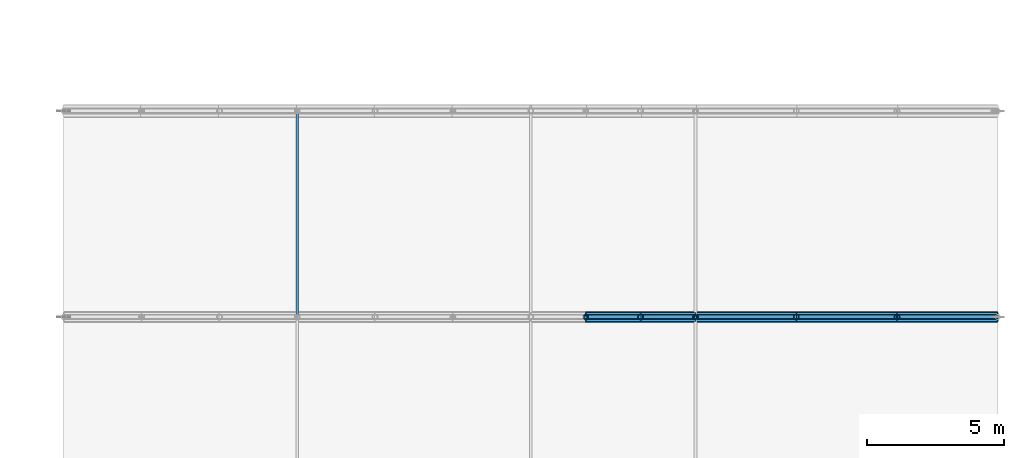
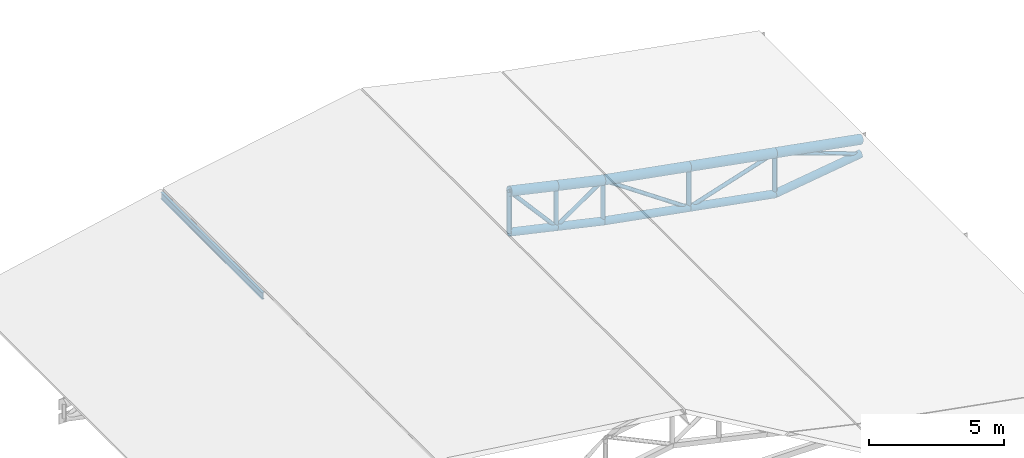
# One storey, part 18 of 28: 16 members, 5 beams.
"""IFC4 building model written with IfcOpenShell, lengths in metres."""

from ifc_helpers import new_model, si_unit, direction, frame, origin, origin_2d, place, context, subcontext, project, spatial, hollow_circle, i_section, extrude, material, material_profile, profile_set, type_object, element, save


model = new_model("IFC4")

# Units and contexts
model_context = context("Model", 3, precision=1e-05, world=origin(), true_north=direction((0.0, 1.0)))
body_context = subcontext(model_context, "Body", "Model", "MODEL_VIEW")
ifc_project = project(units=[si_unit("LENGTHUNIT", "METRE"), si_unit("AREAUNIT", "SQUARE_METRE"), si_unit("VOLUMEUNIT", "CUBIC_METRE"), si_unit("PLANEANGLEUNIT", "RADIAN"), si_unit("MASSUNIT", "GRAM", prefix="KILO"), si_unit("THERMODYNAMICTEMPERATUREUNIT", "KELVIN"), si_unit("POWERUNIT", "WATT")], contexts=[model_context])

# Site, building, storey
site_placement = place(None, origin())
site = spatial("IfcSite", under=ifc_project, at=site_placement, CompositionType="ELEMENT")
building_placement = place(site_placement, origin())
building = spatial("IfcBuilding", under=site, at=building_placement, Name="Tepalcoro Natatorium and Aquatics Centre", CompositionType="ELEMENT")
storey_placement = place(building_placement, frame((0.0, 0.0, 23.199951171875)))
storey = spatial("IfcBuildingStorey", under=building, at=storey_placement, Name="RF", CompositionType="ELEMENT", Elevation=23.199951171875)

# Beams
ifc_material_1 = material(Name="Terracotta Painted Hollow Steel ASTM A500 Grade C (Fy 345 MPa)", Category="masonry")
ifc_material_profile_1 = material_profile(ifc_material_1, hollow_circle(Radius=0.202880859375, WallThickness=0.01611328125, at=origin_2d()), Name="CHS406X16")
ifc_profile_set_1 = profile_set([ifc_material_profile_1], Name="Terracotta Painted Hollow Steel ASTM A500 Grade C (Fy 345 MPa)")
beam_type = type_object("IfcBeamType", Name="AC_CHS406x16", PredefinedType="USERDEFINED", material=ifc_profile_set_1)
for number, where, z_axis, x_axis, name in (
    (1, (161.0, 51.5, -0.755859375), (0.975589348514, 0.0, -0.219602875813), (0.0, 1.0, 0.0), "V2 Barrel-Arch Top Chord 7"),
    (2, (163.0, 51.5, -1.2060546875), (0.97561485681, 0.0, -0.21948952406), (0.0, 1.0, 0.0), "V2 Barrel-Arch Top Chord 7"),
):
    element("IfcBeam", number, at=place(storey_placement, frame(where, z_axis=z_axis, x_axis=x_axis)), inside=storey, type_object=beam_type, Name=name, ObjectType="ARCH CHORD", PredefinedType="USERDEFINED", context=body_context, shape_type="SweptSolid", body=[
        extrude(hollow_circle(Radius=0.202880859375, WallThickness=0.01611328125, at=origin_2d()), origin(), (0.0, 0.0, 1.0), 2.050048828125),
    ])
beam_1_placement = place(storey_placement, frame((165.0, 51.5, -1.656005859375), z_axis=(0.983716546565, 0.0, -0.179726892854), x_axis=(0.0, 1.0, 0.0)))
element("IfcBeam", 3, at=beam_1_placement, inside=storey, type_object=beam_type, Name="V2 Barrel-Arch Top Chord 7", ObjectType="ARCH CHORD", PredefinedType="USERDEFINED", context=body_context, shape_type="SweptSolid", body=[
    extrude(hollow_circle(Radius=0.202880859375, WallThickness=0.01611328125, at=origin_2d()), origin(), (0.0, 0.0, 1.0), 3.7275390625),
])
beam_2_placement = place(storey_placement, frame((168.666748046875, 51.5, -2.325927734375), z_axis=(0.983714430655, 0.0, -0.179738473679), x_axis=(0.0, 1.0, 0.0)))
element("IfcBeam", 4, at=beam_2_placement, inside=storey, type_object=beam_type, Name="V2 Barrel-Arch Top Chord 7", ObjectType="ARCH CHORD", PredefinedType="USERDEFINED", context=body_context, shape_type="SweptSolid", body=[
    extrude(hollow_circle(Radius=0.202880859375, WallThickness=0.01611328125, at=origin_2d()), origin(), (0.0, 0.0, 1.0), 3.727294921875),
])
beam_3_placement = place(storey_placement, frame((172.333251953125, 51.5, -2.995849609375), z_axis=(0.983704964567, 0.0, -0.179790274169), x_axis=(0.0, 1.0, 0.0)))
element("IfcBeam", 5, at=beam_3_placement, inside=storey, type_object=beam_type, Name="V2 Barrel-Arch Top Chord 7", ObjectType="ARCH CHORD", PredefinedType="USERDEFINED", context=body_context, shape_type="SweptSolid", body=[
    extrude(hollow_circle(Radius=0.202880859375, WallThickness=0.01611328125, at=origin_2d()), origin(), (0.0, 0.0, 1.0), 3.7275390625),
])

# Members
ifc_material_profile_2 = material_profile(ifc_material_1, hollow_circle(Radius=0.162109375, WallThickness=0.013916015625, at=origin_2d()), Name="CHS324X14")
ifc_profile_set_2 = profile_set([ifc_material_profile_2], Name="Terracotta Painted Hollow Steel ASTM A500 Grade C (Fy 345 MPa)")
member_type_1 = type_object("IfcMemberType", Name="MB_CH_CHS324x14", PredefinedType="CHORD", material=ifc_profile_set_2)
for number, where, z_axis, x_axis, name in (
    (6, (161.0, 51.5, -2.60595703125), (0.97561485681, 0.0, -0.21948952406), (0.0, 1.0, 0.0), "V2 Barrel-Arch Bottom Chord 7"),
    (7, (163.0, 51.5, -3.055908203125), (0.97561485681, 0.0, -0.21948952406), (0.0, 1.0, 0.0), "V2 Barrel-Arch Bottom Chord 7"),
):
    element("IfcMember", number, at=place(storey_placement, frame(where, z_axis=z_axis, x_axis=x_axis)), inside=storey, type_object=member_type_1, Name=name, PredefinedType="CHORD", context=body_context, shape_type="SweptSolid", body=[
        extrude(hollow_circle(Radius=0.162109375, WallThickness=0.013916015625, at=origin_2d()), origin(), (0.0, 0.0, 1.0), 2.050048828125),
    ])
member_1_placement = place(storey_placement, frame((165.0, 51.5, -3.505859375), z_axis=(0.983704964567, 0.0, -0.179790274169), x_axis=(0.0, 1.0, 0.0)))
element("IfcMember", 8, at=member_1_placement, inside=storey, type_object=member_type_1, Name="V2 Barrel-Arch Bottom Chord 7", PredefinedType="CHORD", context=body_context, shape_type="SweptSolid", body=[
    extrude(hollow_circle(Radius=0.162109375, WallThickness=0.013916015625, at=origin_2d()), origin(), (0.0, 0.0, 1.0), 3.7275390625),
])
member_2_placement = place(storey_placement, frame((168.666748046875, 51.5, -4.176025390625), z_axis=(0.983714430655, 0.0, -0.179738473679), x_axis=(0.0, 1.0, 0.0)))
element("IfcMember", 9, at=member_2_placement, inside=storey, type_object=member_type_1, Name="V2 Barrel-Arch Bottom Chord 7", PredefinedType="CHORD", context=body_context, shape_type="SweptSolid", body=[
    extrude(hollow_circle(Radius=0.162109375, WallThickness=0.013916015625, at=origin_2d()), origin(), (0.0, 0.0, 1.0), 3.727294921875),
])
member_3_placement = place(storey_placement, frame((172.333251953125, 51.5, -4.845947265625), z_axis=(0.98971353676, 0.0, 0.143063325675), x_axis=(0.0, 1.0, 0.0)))
element("IfcMember", 10, at=member_3_placement, inside=storey, type_object=member_type_1, Name="V2 Barrel-Arch Bottom Chord 7", PredefinedType="CHORD", context=body_context, shape_type="SweptSolid", body=[
    extrude(hollow_circle(Radius=0.162109375, WallThickness=0.013916015625, at=origin_2d()), origin(), (0.0, 0.0, 1.0), 3.704833984375),
])
ifc_material_2 = material(Name="Steel ASTM A992 Grade 50 (Fy 345 MPa)", Category="steel")
ifc_material_profile_3 = material_profile(ifc_material_2, i_section(OverallWidth=0.10205078125, OverallDepth=0.31201171875, WebThickness=0.007080078125, FlangeThickness=0.010986328125, FilletRadius=0.013916015625, at=origin_2d()), Name="W12X22")
ifc_profile_set_3 = profile_set([ifc_material_profile_3], Name="Steel ASTM A992 Grade 50 (Fy 345 MPa)")
member_type_2 = type_object("IfcMemberType", Name="MB_PR_W12x22", PredefinedType="PURLIN", material=ifc_profile_set_3)
member_4_placement = place(storey_placement, frame((150.5, 51.5, -1.808837890625), z_axis=(0.0, 1.0, 0.0), x_axis=(-1.0, 0.0, 0.0)))
element("IfcMember", 11, at=member_4_placement, inside=storey, type_object=member_type_2, Name="V2 Barrel-Arch Roof Purlin", PredefinedType="PURLIN", context=body_context, shape_type="SweptSolid", body=[
    extrude(i_section(OverallWidth=0.10205078125, OverallDepth=0.31201171875, WebThickness=0.007080078125, FlangeThickness=0.010986328125, FilletRadius=0.013916015625, at=origin_2d()), origin(), (0.0, 0.0, 1.0), 7.5),
])
ifc_material_profile_4 = material_profile(ifc_material_1, hollow_circle(Radius=0.096923828125, WallThickness=0.010009765625, at=origin_2d()), Name="CHS194X10")
ifc_profile_set_4 = profile_set([ifc_material_profile_4], Name="Terracotta Painted Hollow Steel ASTM A500 Grade C (Fy 345 MPa)")
member_type_3 = type_object("IfcMemberType", Name="MB_PS_CHS194x10", PredefinedType="POST", material=ifc_profile_set_4)
member_5_placement = place(storey_placement, frame((161.0, 51.5, -2.60595703125), z_axis=(0.0, 0.0, 1.0), x_axis=(1.0, 0.0, 0.0)))
element("IfcMember", 12, at=member_5_placement, inside=storey, type_object=member_type_3, Name="V2 Barrel-Arch Post 7", PredefinedType="POST", context=body_context, shape_type="SweptSolid", body=[
    extrude(hollow_circle(Radius=0.096923828125, WallThickness=0.010009765625, at=origin_2d()), origin(), (0.0, 0.0, 1.0), 1.85009765625),
])
for number, where, z_axis, x_axis, name in (
    (13, (163.0, 51.5, -3.055908203125), (0.0, 0.0, 1.0), (1.0, 0.0, 0.0), "V2 Barrel-Arch Post 7"),
    (14, (165.0, 51.5, -3.505859375), (0.0, 0.0, 1.0), (1.0, 0.0, 0.0), "V2 Barrel-Arch Post 7"),
):
    element("IfcMember", number, at=place(storey_placement, frame(where, z_axis=z_axis, x_axis=x_axis)), inside=storey, type_object=member_type_3, Name=name, PredefinedType="POST", context=body_context, shape_type="SweptSolid", body=[
        extrude(hollow_circle(Radius=0.096923828125, WallThickness=0.010009765625, at=origin_2d()), origin(), (0.0, 0.0, 1.0), 1.849853515625),
    ])
for number, where, z_axis, x_axis, name in (
    (15, (168.666748046875, 51.5, -4.176025390625), (0.0, 0.0, 1.0), (1.0, 0.0, 0.0), "V2 Barrel-Arch Post 7"),
    (16, (172.333251953125, 51.5, -4.845947265625), (0.0, 0.0, 1.0), (1.0, 0.0, 0.0), "V2 Barrel-Arch Post 7"),
):
    element("IfcMember", number, at=place(storey_placement, frame(where, z_axis=z_axis, x_axis=x_axis)), inside=storey, type_object=member_type_3, Name=name, PredefinedType="POST", context=body_context, shape_type="SweptSolid", body=[
        extrude(hollow_circle(Radius=0.096923828125, WallThickness=0.010009765625, at=origin_2d()), origin(), (0.0, 0.0, 1.0), 1.85009765625),
    ])
ifc_material_profile_5 = material_profile(ifc_material_1, hollow_circle(Radius=0.083984375, WallThickness=0.011962890625, at=origin_2d()), Name="CHS168X12")
ifc_profile_set_5 = profile_set([ifc_material_profile_5], Name="Terracotta Painted Hollow Steel ASTM A500 Grade C (Fy 345 MPa)")
member_type_4 = type_object("IfcMemberType", Name="MB_ST_CHS168x12", PredefinedType="STRUT", material=ifc_profile_set_5)
member_6_placement = place(storey_placement, frame((161.0, 51.5, -0.755859375), z_axis=(0.65617078259, 0.0, -0.754612419773), x_axis=(0.0, 1.0, 0.0)))
element("IfcMember", 17, at=member_6_placement, inside=storey, type_object=member_type_4, Name="V2 Barrel-Arch Web Diagonal 7", PredefinedType="STRUT", context=body_context, shape_type="SweptSolid", body=[
    extrude(hollow_circle(Radius=0.083984375, WallThickness=0.011962890625, at=origin_2d()), origin(), (0.0, 0.0, 1.0), 3.048095703125),
])
member_7_placement = place(storey_placement, frame((163.0, 51.5, -3.055908203125), z_axis=(0.819250713189, 0.0, 0.573435496756), x_axis=(0.0, 1.0, 0.0)))
element("IfcMember", 18, at=member_7_placement, inside=storey, type_object=member_type_4, Name="V2 Barrel-Arch Web Diagonal 7", PredefinedType="STRUT", context=body_context, shape_type="SweptSolid", body=[
    extrude(hollow_circle(Radius=0.083984375, WallThickness=0.011962890625, at=origin_2d()), origin(), (0.0, 0.0, 1.0), 2.441162109375),
])
member_8_placement = place(storey_placement, frame((165.0, 51.5, -1.656005859375), z_axis=(0.82413317395, 0.0, -0.566396073075), x_axis=(0.0, 1.0, 0.0)))
element("IfcMember", 19, at=member_8_placement, inside=storey, type_object=member_type_4, Name="V2 Barrel-Arch Web Diagonal 7", PredefinedType="STRUT", context=body_context, shape_type="SweptSolid", body=[
    extrude(hollow_circle(Radius=0.083984375, WallThickness=0.011962890625, at=origin_2d()), origin(), (0.0, 0.0, 1.0), 4.44921875),
])
member_9_placement = place(storey_placement, frame((168.666748046875, 51.5, -4.176025390625), z_axis=(0.9519031787, 0.0, 0.306398985606), x_axis=(0.0, 1.0, 0.0)))
element("IfcMember", 20, at=member_9_placement, inside=storey, type_object=member_type_4, Name="V2 Barrel-Arch Web Diagonal 7", PredefinedType="STRUT", context=body_context, shape_type="SweptSolid", body=[
    extrude(hollow_circle(Radius=0.083984375, WallThickness=0.011962890625, at=origin_2d()), origin(), (0.0, 0.0, 1.0), 3.851806640625),
])
member_10_placement = place(storey_placement, frame((172.333251953125, 51.5, -2.995849609375), z_axis=(0.9408842174, 0.0, -0.338728341666), x_axis=(0.0, 1.0, 0.0)))
element("IfcMember", 21, at=member_10_placement, inside=storey, type_object=member_type_4, Name="V2 Barrel-Arch Web Diagonal 7", PredefinedType="STRUT", context=body_context, shape_type="SweptSolid", body=[
    extrude(hollow_circle(Radius=0.083984375, WallThickness=0.011962890625, at=origin_2d()), origin(), (0.0, 0.0, 1.0), 3.897216796875),
])

save(model, "model.ifc")
